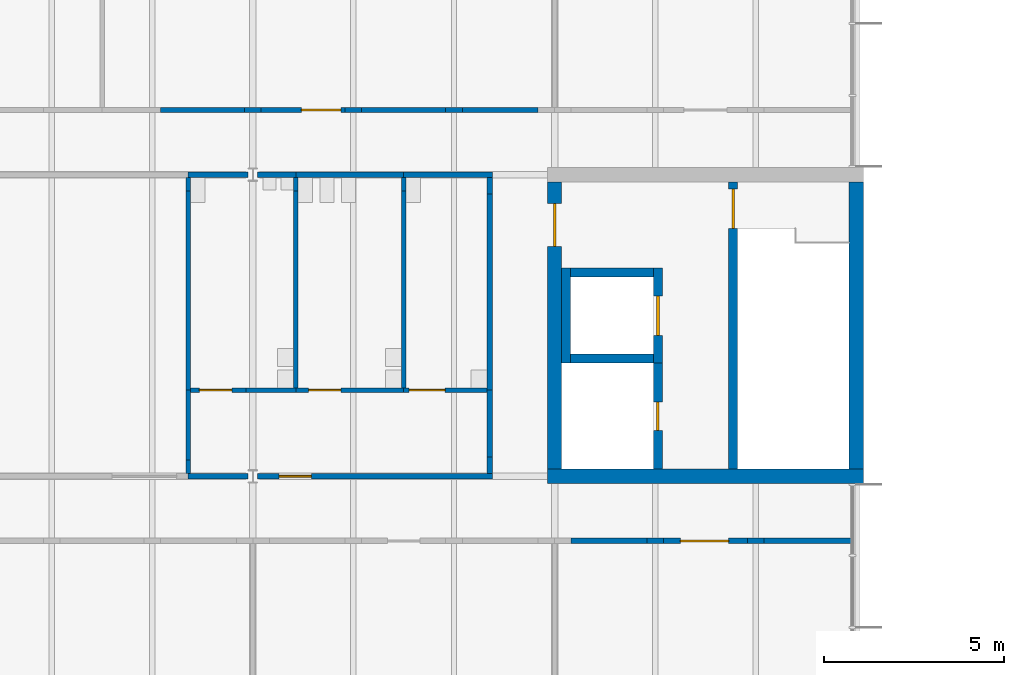
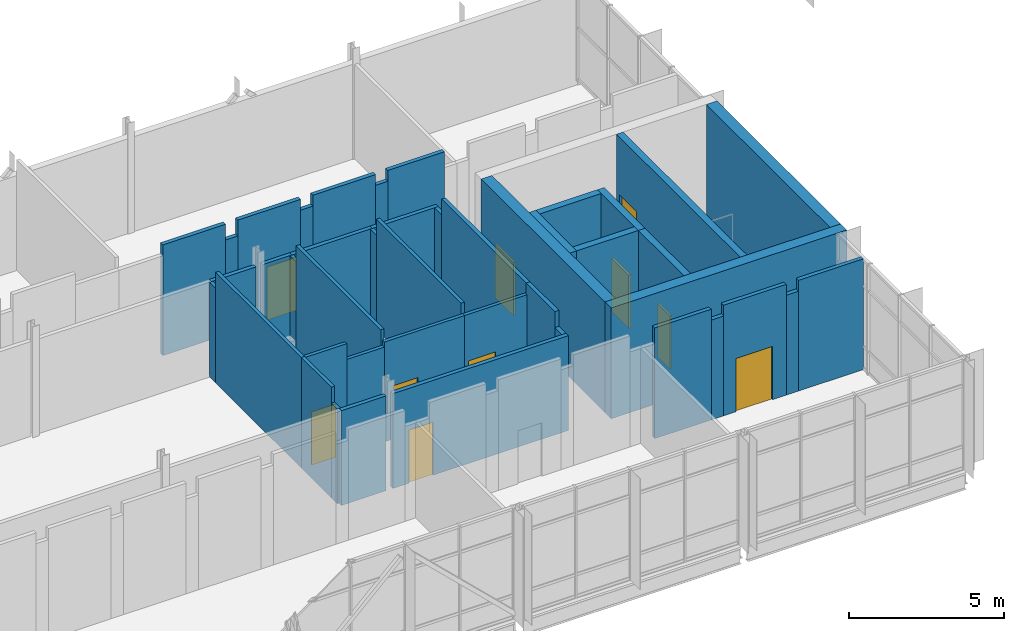
# One storey, part 40 of 72: 43 walls, 10 doors, 10 openings.
"""IFC4 building model written with IfcOpenShell, lengths in metres."""

import ifcopenshell
import ifcopenshell.guid

model = None  # the IFC model being written
_history = None  # IfcOwnerHistory: only IFC2X3 demands one
_inside = {}  # id of a spatial element -> (the spatial element, [elements in it])
_under = {}  # id of a project, library or spatial element -> (it, [spatial elements below it])
_declared = {}  # id of a project -> (the project, [libraries it declares])
_typed = {}  # id of a type object -> (the type object, [elements of that type])
_made_of = {}  # id of a material, layer set ... -> (it, [elements and type objects made of it])


def new_model(schema):
    """Start an empty IFC model of exactly this schema.

    Asked for "IFC4X3", IfcOpenShell would pick the latest addendum, in which some entities
    have other attributes; the version numbers below select the first issue.
    IFC2X3 requires an IfcOwnerHistory on every rooted entity: one is made here for all.
    """
    global model, _history
    if schema == "IFC4X3":
        model = ifcopenshell.file(schema_version=(4, 3, 0, 0))
    else:
        model = ifcopenshell.file(schema=schema)
    _inside.clear()
    _under.clear()
    _declared.clear()
    _typed.clear()
    _made_of.clear()
    _history = None
    if model.schema == "IFC2X3":
        org = make("IfcOrganization", Name="unknown")
        user = make(
            "IfcPersonAndOrganization",
            ThePerson=make("IfcPerson", FamilyName="unknown"),
            TheOrganization=org,
        )
        app = make(
            "IfcApplication",
            ApplicationDeveloper=org,
            Version="unknown",
            ApplicationFullName="unknown",
            ApplicationIdentifier="unknown",
        )
        _history = make(
            "IfcOwnerHistory",
            OwningUser=user,
            OwningApplication=app,
            ChangeAction="ADDED",
            CreationDate=0,
        )
    return model


def make(cls, **values):
    """One entity of the class cls with the attributes given. An attribute that is None is left unset."""
    return model.create_entity(
        cls, **{name: value for name, value in values.items() if value is not None}
    )


def rooted(cls, **values):
    """An entity with a GlobalId (a new one), such as an element, a storey or a relation."""
    return make(cls, GlobalId=ifcopenshell.guid.new(), OwnerHistory=_history, **values)


def si_unit(unit_type, name, prefix=None):
    """IfcSIUnit, for example si_unit("LENGTHUNIT", "METRE", prefix="MILLI")."""
    return make("IfcSIUnit", UnitType=unit_type, Prefix=prefix, Name=name)


def assignment(units):
    """IfcUnitAssignment: the units of a project."""
    return None if units is None else make("IfcUnitAssignment", Units=units)


def point(xyz):
    """IfcCartesianPoint."""
    return None if xyz is None else make("IfcCartesianPoint", Coordinates=xyz)


def direction(xyz):
    """IfcDirection."""
    return None if xyz is None else make("IfcDirection", DirectionRatios=xyz)


def frame(location, z_axis=None, x_axis=None):
    """IfcAxis2Placement3D, a coordinate frame: its origin and axes. An axis left out is left unset."""
    return make(
        "IfcAxis2Placement3D",
        Location=point(location),
        Axis=direction(z_axis),
        RefDirection=direction(x_axis),
    )


def frame_2d(location, x_axis=None):
    """IfcAxis2Placement2D, a coordinate frame in the plane: its origin and x axis."""
    return make(
        "IfcAxis2Placement2D", Location=point(location), RefDirection=direction(x_axis)
    )


def origin():
    """The frame at (0, 0, 0) with its axes left unset."""
    return frame((0.0, 0.0, 0.0))


def place(relative_to, where):
    """IfcLocalPlacement: puts the frame where relative to a parent placement (None: the world)."""
    return make(
        "IfcLocalPlacement", PlacementRelTo=relative_to, RelativePlacement=where
    )


def context(
    kind, dimensions, precision=None, world=None, true_north=None, identifier=None
):
    """IfcGeometricRepresentationContext, for example the 3D "Model" context."""
    return make(
        "IfcGeometricRepresentationContext",
        ContextIdentifier=identifier,
        ContextType=kind,
        CoordinateSpaceDimension=dimensions,
        Precision=precision,
        WorldCoordinateSystem=world,
        TrueNorth=true_north,
    )


def subcontext(parent, identifier, kind, view, scale=None):
    """IfcGeometricRepresentationSubContext, for example "Body" below "Model"."""
    return make(
        "IfcGeometricRepresentationSubContext",
        ContextIdentifier=identifier,
        ContextType=kind,
        ParentContext=parent,
        TargetScale=scale,
        TargetView=view,
    )


def project(units=None, contexts=None):
    """IfcProject with its units and contexts."""
    return rooted(
        "IfcProject",
        Name="project",
        RepresentationContexts=contexts,
        UnitsInContext=assignment(units),
    )


def spatial(cls, under=None, at=None, **own):
    """A site, building, storey or space (cls), placed at a placement, below another one or the project."""
    s = rooted(cls, ObjectPlacement=at, **own)
    if under is not None:
        _under.setdefault(under.id(), (under, []))[1].append(s)
    return s


def profile(cls, at=None, kind="AREA", **sizes):
    """A parametric profile (cls). Its sizes go by their IFC names, for example OverallWidth=200.0."""
    return make(cls, ProfileType=kind, Position=at, **sizes)


def rectangle(**sizes):
    """IfcRectangleProfileDef."""
    return profile("IfcRectangleProfileDef", **sizes)


def extrude(swept, where, along, depth):
    """IfcExtrudedAreaSolid: the profile swept, set in the frame where, extruded along a direction by depth."""
    return make(
        "IfcExtrudedAreaSolid",
        SweptArea=swept,
        Position=where,
        ExtrudedDirection=direction(along),
        Depth=depth,
    )


def shape(context_of_items, identifier, shape_type, items):
    """IfcShapeRepresentation: the items that make up one representation, for example the "Body"."""
    return make(
        "IfcShapeRepresentation",
        ContextOfItems=context_of_items,
        RepresentationIdentifier=identifier,
        RepresentationType=shape_type,
        Items=items,
    )


def material(Name=None, Category=None):
    """IfcMaterial."""
    return make("IfcMaterial", Name=Name, Category=Category)


def layer(
    of_material, thickness, ventilated=None, Name=None, Category=None, Priority=None
):
    """IfcMaterialLayer: one layer of a wall or slab, of a material (None: an air gap)."""
    return make(
        "IfcMaterialLayer",
        Material=of_material,
        LayerThickness=thickness,
        IsVentilated=ventilated,
        Name=Name,
        Category=Category,
        Priority=Priority,
    )


def layer_set(layers, Name=None):
    """IfcMaterialLayerSet."""
    return make("IfcMaterialLayerSet", MaterialLayers=layers, LayerSetName=Name)


def made_of(thing, what):
    """Note that an element or type object is made of a material, layer set ...; save() writes the relation."""
    if what is not None:
        _made_of.setdefault(what.id(), (what, []))[1].append(thing)
    return thing


def type_object(cls, material=None, **own):
    """A type object (cls), such as IfcWallType, which elements share."""
    return made_of(rooted(cls, **own), material)


def element(
    cls,
    number,
    at=None,
    inside=None,
    cuts=None,
    type_object=None,
    material=None,
    context=None,
    identifier="Body",
    shape_type=None,
    held_by="IfcProductDefinitionShape",
    body=None,
    shapes=None,
    **own,
):
    """One element of the class cls, such as IfcWall. Its Tag is "e" and its number.

    at: its placement. inside: the storey or other place that contains it. cuts: it is an
    opening in that element (IfcRelVoidsElement). A single representation is given by context,
    identifier, shape_type and body (its items); several are given by shapes. held_by: the class
    of the entity that holds the representations. save() writes the other relations.
    """
    e = rooted(cls, Tag="e%d" % number, ObjectPlacement=at, **own)
    if body is not None:
        shapes = [shape(context, identifier, shape_type, body)]
    if shapes is not None:
        e.Representation = make(held_by, Representations=shapes)
    if inside is not None:
        _inside.setdefault(inside.id(), (inside, []))[1].append(e)
    if cuts is not None:
        rooted(
            "IfcRelVoidsElement", RelatingBuildingElement=cuts, RelatedOpeningElement=e
        )
    if type_object is not None:
        _typed.setdefault(type_object.id(), (type_object, []))[1].append(e)
    return made_of(e, material)


def fill(opening, filler):
    """IfcRelFillsElement: the door or window that sits in an opening."""
    return rooted(
        "IfcRelFillsElement",
        RelatingOpeningElement=opening,
        RelatedBuildingElement=filler,
    )


def aggregate(whole, parts):
    """IfcRelAggregates: a whole, such as a stair, and the parts it consists of."""
    return rooted("IfcRelAggregates", RelatingObject=whole, RelatedObjects=parts)


def save(model, path):
    """Write the relations noted so far, then the file.

    IfcRelAggregates (storeys below a building ...), IfcRelContainedInSpatialStructure (elements
    in a storey), IfcRelDefinesByType, IfcRelAssociatesMaterial and IfcRelDeclares: one each for
    every whole, place, type object, material and project.
    """
    for whole, parts in _under.values():
        aggregate(whole, parts)
    for where, things in _inside.values():
        rooted(
            "IfcRelContainedInSpatialStructure",
            RelatedElements=things,
            RelatingStructure=where,
        )
    for kind, things in _typed.values():
        rooted("IfcRelDefinesByType", RelatedObjects=things, RelatingType=kind)
    for what, things in _made_of.values():
        rooted("IfcRelAssociatesMaterial", RelatedObjects=things, RelatingMaterial=what)
    for by, libraries in _declared.values():
        rooted("IfcRelDeclares", RelatingContext=by, RelatedDefinitions=libraries)
    model.write(path)


model = new_model("IFC4")

# Units and contexts
model_context = context("Model", 3, precision=1e-05, world=origin(), true_north=direction((0.0, 1.0)))
body_context = subcontext(model_context, "Body", "Model", "MODEL_VIEW")
ifc_project = project(units=[si_unit("LENGTHUNIT", "METRE"), si_unit("AREAUNIT", "SQUARE_METRE"), si_unit("VOLUMEUNIT", "CUBIC_METRE"), si_unit("PLANEANGLEUNIT", "RADIAN"), si_unit("MASSUNIT", "GRAM", prefix="KILO")], contexts=[model_context])

# Site, building, storey
site_placement = place(None, origin())
site = spatial("IfcSite", under=ifc_project, at=site_placement, CompositionType="ELEMENT")
building_placement = place(site_placement, origin())
building = spatial("IfcBuilding", under=site, at=building_placement, Name="Hlaing Beacon Police Headquarters", CompositionType="ELEMENT")
storey_placement = place(building_placement, frame((0.0, 0.0, 14.39990234375)))
storey = spatial("IfcBuildingStorey", under=building, at=storey_placement, Name="L03", CompositionType="ELEMENT", Elevation=14.39990234375)

# Wall
ifc_material_1 = material(Name="Concrete C60/75", Category="concrete")
ifc_layer_1 = layer(ifc_material_1, 0.39990234375)
ifc_layer_set_1 = layer_set([ifc_layer_1], Name="Concrete C60/75")
wall_type_1 = type_object("IfcWallType", Name="Core shear wall 400", PredefinedType="SHEAR", material=ifc_layer_set_1)
wall_1_placement = place(storey_placement, frame((50.199951171875, 16.800048828125, 0.0), z_axis=(0.0, 0.0, 1.0), x_axis=(1.0, 0.0, 0.0)))
element("IfcWall", 1, at=wall_1_placement, inside=storey, type_object=wall_type_1, Name="Core shear wall", PredefinedType="SHEAR", context=body_context, shape_type="SweptSolid", body=[
    extrude(rectangle(XDim=8.800048828125, YDim=0.39990234375, at=frame_2d((4.39990234375, 0.0))), origin(), (0.0, 0.0, 1.0), 4.3701171875),
])

# Wall, opening, door
wall_2_placement = place(storey_placement, frame((50.39990234375, 17.0, 0.0), z_axis=(0.0, 0.0, 1.0), x_axis=(0.0, 1.0, 0.0)))
wall_2 = element("IfcWall", 2, at=wall_2_placement, inside=storey, type_object=wall_type_1, Name="Core shear wall", PredefinedType="SHEAR", context=body_context, shape_type="SweptSolid", body=[
    extrude(rectangle(XDim=8.0, YDim=0.39990234375, at=frame_2d((4.0, 0.0))), origin(), (0.0, 0.0, 1.0), 4.3701171875),
])
opening_1_placement = place(wall_2_placement, frame((6.199951171875, 0.0, 0.0)))
opening_1 = element("IfcOpeningElement", 3, at=opening_1_placement, cuts=wall_2, Name="Opening L03-904", PredefinedType="OPENING", context=body_context, shape_type="SweptSolid", body=[
    extrude(rectangle(XDim=1.199951171875, YDim=2.10009765625, at=frame_2d((0.60009765625, 1.050048828125))), frame((0.0, 0.2099609375, 0.0), z_axis=(0.0, -1.0, 0.0), x_axis=(1.0, 0.0, 0.0)), (0.0, 0.0, 1.0), 0.419921875),
])
ifc_material_2 = material(Name="Steel fire door leaf", Category="steel")
ifc_layer_2 = layer(ifc_material_2, 0.070068359375)
ifc_layer_set_2 = layer_set([ifc_layer_2], Name="Steel fire door leaf")
door_type_1 = type_object("IfcDoorType", Name="Steel fire door FD60S 1200x2100", OperationType="SINGLE_SWING_LEFT", PredefinedType="DOOR", material=ifc_layer_set_2)
door_1_placement = place(opening_1_placement, frame((1.199951171875, 0.0, 0.0), z_axis=(0.0, 0.0, 1.0), x_axis=(-1.0, 0.0, 0.0)))
door_1 = element("IfcDoor", 4, at=door_1_placement, inside=storey, type_object=door_type_1, Name="Door Lift and Stair Lobby ST-K Entry", OperationType="SINGLE_SWING_LEFT", OverallHeight=2.10009765625, OverallWidth=1.199951171875, PredefinedType="DOOR", context=body_context, shape_type="SweptSolid", body=[
    extrude(rectangle(XDim=1.199951171875, YDim=2.10009765625, at=frame_2d((0.599853515625, 1.050048828125))), frame((0.0, 0.034912109375, 0.0), z_axis=(0.0, -1.0, 0.0), x_axis=(1.0, 0.0, 0.0)), (0.0, 0.0, 1.0), 0.070068359375),
])
fill(opening_1, door_1)

# Walls
wall_3_placement = place(storey_placement, frame((58.800048828125, 17.0, 0.0), z_axis=(0.0, 0.0, 1.0), x_axis=(0.0, 1.0, 0.0)))
element("IfcWall", 5, at=wall_3_placement, inside=storey, type_object=wall_type_1, Name="Core shear wall", PredefinedType="SHEAR", context=body_context, shape_type="SweptSolid", body=[
    extrude(rectangle(XDim=8.0, YDim=0.39990234375, at=frame_2d((4.0, 0.0))), origin(), (0.0, 0.0, 1.0), 4.3701171875),
])
ifc_material_3 = material(Name="Gypsum board partition")
ifc_layer_3 = layer(ifc_material_3, 0.14990234375)
ifc_layer_set_3 = layer_set([ifc_layer_3], Name="Gypsum board partition")
wall_type_2 = type_object("IfcWallType", Name="Corridor wall EI 30 150", PredefinedType="PARTITIONING", material=ifc_layer_set_3)
wall_4_placement = place(storey_placement, frame((46.199951171875, 25.199951171875, 0.0), z_axis=(0.0, 0.0, 1.0), x_axis=(1.0, 0.0, 0.0)))
element("IfcWall", 6, at=wall_4_placement, inside=storey, type_object=wall_type_2, Name="Corridor wall EI 30 150", PredefinedType="PARTITIONING", context=body_context, shape_type="SweptSolid", body=[
    extrude(rectangle(XDim=2.47509765625, YDim=0.14990234375, at=frame_2d((1.237548828125, 0.0))), origin(), (0.0, 0.0, 1.0), 3.7431640625),
])
wall_5_placement = place(storey_placement, frame((48.60009765625, 19.199951171875, 0.0), z_axis=(0.0, 0.0, 1.0), x_axis=(0.0, 1.0, 0.0)))
element("IfcWall", 7, at=wall_5_placement, inside=storey, type_object=wall_type_2, Name="Corridor wall EI 30 150", PredefinedType="PARTITIONING", context=body_context, shape_type="SweptSolid", body=[
    extrude(rectangle(XDim=5.465087890625, YDim=0.14990234375, at=frame_2d((2.732421875, 0.0))), origin(), (0.0, 0.0, 1.0), 4.3701171875),
])
wall_6_placement = place(storey_placement, frame((48.60009765625, 24.6650390625, 0.0), z_axis=(0.0, 0.0, 1.0), x_axis=(0.0, 1.0, 0.0)))
element("IfcWall", 8, at=wall_6_placement, inside=storey, type_object=wall_type_2, Name="Corridor wall EI 30 150", PredefinedType="PARTITIONING", context=body_context, shape_type="SweptSolid", body=[
    extrude(rectangle(XDim=0.4599609375, YDim=0.14990234375, at=frame_2d((0.22998046875, 0.0))), origin(), (0.0, 0.0, 1.0), 3.7431640625),
])
wall_7_placement = place(storey_placement, frame((43.199951171875, 25.199951171875, 0.0), z_axis=(0.0, 0.0, 1.0), x_axis=(1.0, 0.0, 0.0)))
element("IfcWall", 9, at=wall_7_placement, inside=storey, type_object=wall_type_2, Name="Corridor wall EI 30 150", PredefinedType="PARTITIONING", context=body_context, shape_type="SweptSolid", body=[
    extrude(rectangle(XDim=3.0, YDim=0.14990234375, at=frame_2d((1.5, 0.0))), origin(), (0.0, 0.0, 1.0), 3.7431640625),
])
wall_8_placement = place(storey_placement, frame((40.199951171875, 16.800048828125, 0.0), z_axis=(0.0, 0.0, 1.0), x_axis=(1.0, 0.0, 0.0)))
element("IfcWall", 10, at=wall_8_placement, inside=storey, type_object=wall_type_2, Name="Corridor wall EI 30 150", PredefinedType="PARTITIONING", context=body_context, shape_type="SweptSolid", body=[
    extrude(rectangle(XDim=1.671142578125, YDim=0.14990234375, at=frame_2d((0.83544921875, 0.0))), origin(), (0.0, 0.0, 1.0), 3.7431640625),
])

# Wall, opening, door
wall_9_placement = place(storey_placement, frame((42.12890625, 16.800048828125, 0.0), z_axis=(0.0, 0.0, 1.0), x_axis=(1.0, 0.0, 0.0)))
wall_9 = element("IfcWall", 11, at=wall_9_placement, inside=storey, type_object=wall_type_2, Name="Corridor wall EI 30 150", PredefinedType="PARTITIONING", context=body_context, shape_type="SweptSolid", body=[
    extrude(rectangle(XDim=6.546142578125, YDim=0.14990234375, at=frame_2d((3.27294921875, 0.0))), origin(), (0.0, 0.0, 1.0), 3.7431640625),
])
opening_2_placement = place(wall_9_placement, frame((0.60009765625, 0.0, 0.0)))
opening_2 = element("IfcOpeningElement", 12, at=opening_2_placement, cuts=wall_9, Name="Opening L03-005", PredefinedType="OPENING", context=body_context, shape_type="SweptSolid", body=[
    extrude(rectangle(XDim=0.89990234375, YDim=2.10009765625, at=frame_2d((0.449951171875, 1.050048828125))), frame((0.0, 0.0849609375, 0.0), z_axis=(0.0, -1.0, 0.0), x_axis=(1.0, 0.0, 0.0)), (0.0, 0.0, 1.0), 0.169921875),
])
ifc_material_4 = material(Name="Hardwood door leaf", Category="wood")
ifc_layer_4 = layer(ifc_material_4, 0.050048828125)
ifc_layer_set_4 = layer_set([ifc_layer_4], Name="Hardwood door leaf")
door_type_2 = type_object("IfcDoorType", Name="Fire door FD30S 900x2100", OperationType="SINGLE_SWING_LEFT", PredefinedType="DOOR", material=ifc_layer_set_4)
door_2_placement = place(opening_2_placement, origin())
door_2 = element("IfcDoor", 13, at=door_2_placement, inside=storey, type_object=door_type_2, Name="Door WC Lobby", OperationType="SINGLE_SWING_RIGHT", OverallHeight=2.10009765625, OverallWidth=0.89990234375, PredefinedType="DOOR", context=body_context, shape_type="SweptSolid", body=[
    extrude(rectangle(XDim=0.89990234375, YDim=2.10009765625, at=frame_2d((0.449951171875, 1.050048828125))), frame((0.0, 0.02490234375, 0.0), z_axis=(0.0, -1.0, 0.0), x_axis=(1.0, 0.0, 0.0)), (0.0, 0.0, 1.0), 0.050048828125),
])
fill(opening_2, door_2)

# Walls
wall_10_placement = place(storey_placement, frame((48.60009765625, 16.875, 0.0), z_axis=(0.0, 0.0, 1.0), x_axis=(0.0, 1.0, 0.0)))
element("IfcWall", 14, at=wall_10_placement, inside=storey, type_object=wall_type_2, Name="Corridor wall EI 30 150", PredefinedType="PARTITIONING", context=body_context, shape_type="SweptSolid", body=[
    extrude(rectangle(XDim=0.4599609375, YDim=0.14990234375, at=frame_2d((0.22998046875, 0.0))), origin(), (0.0, 0.0, 1.0), 3.7431640625),
])
wall_11_placement = place(storey_placement, frame((48.60009765625, 17.3349609375, 0.0), z_axis=(0.0, 0.0, 1.0), x_axis=(0.0, 1.0, 0.0)))
element("IfcWall", 15, at=wall_11_placement, inside=storey, type_object=wall_type_2, Name="Corridor wall EI 30 150", PredefinedType="PARTITIONING", context=body_context, shape_type="SweptSolid", body=[
    extrude(rectangle(XDim=1.864990234375, YDim=0.14990234375, at=frame_2d((0.9326171875, 0.0))), origin(), (0.0, 0.0, 1.0), 4.3701171875),
])
wall_12_placement = place(storey_placement, frame((40.199951171875, 25.199951171875, 0.0), z_axis=(0.0, 0.0, 1.0), x_axis=(1.0, 0.0, 0.0)))
element("IfcWall", 16, at=wall_12_placement, inside=storey, type_object=wall_type_2, Name="Corridor wall EI 30 150", PredefinedType="PARTITIONING", context=body_context, shape_type="SweptSolid", body=[
    extrude(rectangle(XDim=1.671142578125, YDim=0.14990234375, at=frame_2d((0.83544921875, 0.0))), origin(), (0.0, 0.0, 1.0), 3.7431640625),
])
wall_13_placement = place(storey_placement, frame((42.12890625, 25.199951171875, 0.0), z_axis=(0.0, 0.0, 1.0), x_axis=(1.0, 0.0, 0.0)))
element("IfcWall", 17, at=wall_13_placement, inside=storey, type_object=wall_type_2, Name="Corridor wall EI 30 150", PredefinedType="PARTITIONING", context=body_context, shape_type="SweptSolid", body=[
    extrude(rectangle(XDim=1.071044921875, YDim=0.14990234375, at=frame_2d((0.53564453125, 0.0))), origin(), (0.0, 0.0, 1.0), 3.7431640625),
])
wall_14_placement = place(storey_placement, frame((39.429931640625, 27.0, 0.0), z_axis=(0.0, 0.0, 1.0), x_axis=(1.0, 0.0, 0.0)))
element("IfcWall", 18, at=wall_14_placement, inside=storey, type_object=wall_type_2, Name="Corridor wall EI 30 150", PredefinedType="PARTITIONING", context=body_context, shape_type="SweptSolid", body=[
    extrude(rectangle(XDim=2.340087890625, YDim=0.14990234375, at=frame_2d((1.169921875, 0.0))), origin(), (0.0, 0.0, 1.0), 4.3701171875),
])
wall_15_placement = place(storey_placement, frame((41.77001953125, 27.0, 0.0), z_axis=(0.0, 0.0, 1.0), x_axis=(1.0, 0.0, 0.0)))
element("IfcWall", 19, at=wall_15_placement, inside=storey, type_object=wall_type_2, Name="Corridor wall EI 30 150", PredefinedType="PARTITIONING", context=body_context, shape_type="SweptSolid", body=[
    extrude(rectangle(XDim=0.4599609375, YDim=0.14990234375, at=frame_2d((0.22998046875, 0.0))), origin(), (0.0, 0.0, 1.0), 3.7431640625),
])

# Wall, opening, door
wall_16_placement = place(storey_placement, frame((42.22998046875, 27.0, 0.0), z_axis=(0.0, 0.0, 1.0), x_axis=(1.0, 0.0, 0.0)))
wall_16 = element("IfcWall", 20, at=wall_16_placement, inside=storey, type_object=wall_type_2, Name="Corridor wall EI 30 150", PredefinedType="PARTITIONING", context=body_context, shape_type="SweptSolid", body=[
    extrude(rectangle(XDim=2.340087890625, YDim=0.14990234375, at=frame_2d((1.169921875, 0.0))), origin(), (0.0, 0.0, 1.0), 4.3701171875),
])
opening_3_placement = place(wall_16_placement, frame((1.1201171875, 0.0, 0.0)))
opening_3 = element("IfcOpeningElement", 21, at=opening_3_placement, cuts=wall_16, Name="Opening L03-009", PredefinedType="OPENING", context=body_context, shape_type="SweptSolid", body=[
    extrude(rectangle(XDim=1.10009765625, YDim=2.10009765625, at=frame_2d((0.550048828125, 1.050048828125))), frame((0.0, 0.0849609375, 0.0), z_axis=(0.0, -1.0, 0.0), x_axis=(1.0, 0.0, 0.0)), (0.0, 0.0, 1.0), 0.169921875),
])
ifc_material_5 = material(Name="Hardwood door leaf", Category="wood")
ifc_layer_5 = layer(ifc_material_5, 0.050048828125)
ifc_layer_set_5 = layer_set([ifc_layer_5], Name="Hardwood door leaf")
door_type_3 = type_object("IfcDoorType", Name="Fire door FD30S 1100x2100", OperationType="SINGLE_SWING_LEFT", PredefinedType="DOOR", material=ifc_layer_set_5)
door_3_placement = place(opening_3_placement, origin())
door_3 = element("IfcDoor", 22, at=door_3_placement, inside=storey, type_object=door_type_3, Name="Door Restaurant Kitchen", OperationType="SINGLE_SWING_RIGHT", OverallHeight=2.10009765625, OverallWidth=1.10009765625, PredefinedType="DOOR", context=body_context, shape_type="SweptSolid", body=[
    extrude(rectangle(XDim=1.10009765625, YDim=2.10009765625, at=frame_2d((0.550048828125, 1.050048828125))), frame((0.0, 0.02490234375, 0.0), z_axis=(0.0, -1.0, 0.0), x_axis=(1.0, 0.0, 0.0)), (0.0, 0.0, 1.0), 0.050048828125),
])
fill(opening_3, door_3)

# Walls
wall_17_placement = place(storey_placement, frame((44.570068359375, 27.0, 0.0), z_axis=(0.0, 0.0, 1.0), x_axis=(1.0, 0.0, 0.0)))
element("IfcWall", 23, at=wall_17_placement, inside=storey, type_object=wall_type_2, Name="Corridor wall EI 30 150", PredefinedType="PARTITIONING", context=body_context, shape_type="SweptSolid", body=[
    extrude(rectangle(XDim=0.4599609375, YDim=0.14990234375, at=frame_2d((0.22998046875, 0.0))), origin(), (0.0, 0.0, 1.0), 3.941162109375),
])
wall_18_placement = place(storey_placement, frame((45.030029296875, 27.0, 0.0), z_axis=(0.0, 0.0, 1.0), x_axis=(1.0, 0.0, 0.0)))
element("IfcWall", 24, at=wall_18_placement, inside=storey, type_object=wall_type_2, Name="Corridor wall EI 30 150", PredefinedType="PARTITIONING", context=body_context, shape_type="SweptSolid", body=[
    extrude(rectangle(XDim=2.340087890625, YDim=0.14990234375, at=frame_2d((1.169921875, 0.0))), origin(), (0.0, 0.0, 1.0), 4.3701171875),
])
wall_19_placement = place(storey_placement, frame((47.3701171875, 27.0, 0.0), z_axis=(0.0, 0.0, 1.0), x_axis=(1.0, 0.0, 0.0)))
element("IfcWall", 25, at=wall_19_placement, inside=storey, type_object=wall_type_2, Name="Corridor wall EI 30 150", PredefinedType="PARTITIONING", context=body_context, shape_type="SweptSolid", body=[
    extrude(rectangle(XDim=0.4599609375, YDim=0.14990234375, at=frame_2d((0.22998046875, 0.0))), origin(), (0.0, 0.0, 1.0), 3.941162109375),
])
for number, where, z_axis, x_axis, name in (
    (26, (47.830078125, 27.0, 0.0), (0.0, 0.0, 1.0), (1.0, 0.0, 0.0), "Corridor wall EI 30 150"),
    (27, (50.860107421875, 15.0, 0.0), (0.0, 0.0, 1.0), (1.0, 0.0, 0.0), "Corridor wall EI 30 150"),
):
    element("IfcWall", number, at=place(storey_placement, frame(where, z_axis=z_axis, x_axis=x_axis)), inside=storey, type_object=wall_type_2, Name=name, PredefinedType="PARTITIONING", context=body_context, shape_type="SweptSolid", body=[
        extrude(rectangle(XDim=2.10986328125, YDim=0.14990234375, at=frame_2d((1.054931640625, 0.0))), origin(), (0.0, 0.0, 1.0), 4.3701171875),
    ])
wall_20_placement = place(storey_placement, frame((52.969970703125, 15.0, 0.0), z_axis=(0.0, 0.0, 1.0), x_axis=(1.0, 0.0, 0.0)))
element("IfcWall", 28, at=wall_20_placement, inside=storey, type_object=wall_type_2, Name="Corridor wall EI 30 150", PredefinedType="PARTITIONING", context=body_context, shape_type="SweptSolid", body=[
    extrude(rectangle(XDim=0.4599609375, YDim=0.14990234375, at=frame_2d((0.22998046875, 0.0))), origin(), (0.0, 0.0, 1.0), 3.941162109375),
])

# Wall, opening, door
wall_21_placement = place(storey_placement, frame((53.429931640625, 15.0, 0.0), z_axis=(0.0, 0.0, 1.0), x_axis=(1.0, 0.0, 0.0)))
wall_21 = element("IfcWall", 29, at=wall_21_placement, inside=storey, type_object=wall_type_2, Name="Corridor wall EI 30 150", PredefinedType="PARTITIONING", context=body_context, shape_type="SweptSolid", body=[
    extrude(rectangle(XDim=2.340087890625, YDim=0.14990234375, at=frame_2d((1.169921875, 0.0))), origin(), (0.0, 0.0, 1.0), 4.3701171875),
])
opening_4_placement = place(wall_21_placement, frame((0.469970703125, 0.0, 0.0)))
opening_4 = element("IfcOpeningElement", 30, at=opening_4_placement, cuts=wall_21, Name="Opening L03-011", PredefinedType="OPENING", context=body_context, shape_type="SweptSolid", body=[
    extrude(rectangle(XDim=1.35009765625, YDim=2.10009765625, at=frame_2d((0.675048828125, 1.050048828125))), frame((0.0, 0.0849609375, 0.0), z_axis=(0.0, -1.0, 0.0), x_axis=(1.0, 0.0, 0.0)), (0.0, 0.0, 1.0), 0.169921875),
])
ifc_material_6 = material(Name="Hardwood door leaf", Category="wood")
ifc_layer_6 = layer(ifc_material_6, 0.050048828125)
ifc_layer_set_6 = layer_set([ifc_layer_6], Name="Hardwood door leaf")
door_type_4 = type_object("IfcDoorType", Name="Fire leaf-and-a-half door FD30S 1350x2100", OperationType="DOUBLE_DOOR_SINGLE_SWING", PredefinedType="DOOR", material=ifc_layer_set_6)
door_4_placement = place(opening_4_placement, frame((1.35009765625, 0.0, 0.0), z_axis=(0.0, 0.0, 1.0), x_axis=(-1.0, 0.0, 0.0)))
door_4 = element("IfcDoor", 31, at=door_4_placement, inside=storey, type_object=door_type_4, Name="Door Information Governance", OperationType="DOUBLE_DOOR_SINGLE_SWING", OverallHeight=2.10009765625, OverallWidth=1.35009765625, PredefinedType="DOOR", context=body_context, shape_type="SweptSolid", body=[
    extrude(rectangle(XDim=1.35009765625, YDim=2.10009765625, at=frame_2d((0.675048828125, 1.050048828125))), frame((0.0, 0.025146484375, 0.0), z_axis=(0.0, -1.0, 0.0), x_axis=(1.0, 0.0, 0.0)), (0.0, 0.0, 1.0), 0.050048828125),
])
fill(opening_4, door_4)

# Walls
wall_22_placement = place(storey_placement, frame((55.77001953125, 15.0, 0.0), z_axis=(0.0, 0.0, 1.0), x_axis=(1.0, 0.0, 0.0)))
element("IfcWall", 32, at=wall_22_placement, inside=storey, type_object=wall_type_2, Name="Corridor wall EI 30 150", PredefinedType="PARTITIONING", context=body_context, shape_type="SweptSolid", body=[
    extrude(rectangle(XDim=0.4599609375, YDim=0.14990234375, at=frame_2d((0.22998046875, 0.0))), origin(), (0.0, 0.0, 1.0), 3.941162109375),
])
wall_23_placement = place(storey_placement, frame((56.22998046875, 15.0, 0.0), z_axis=(0.0, 0.0, 1.0), x_axis=(1.0, 0.0, 0.0)))
element("IfcWall", 33, at=wall_23_placement, inside=storey, type_object=wall_type_2, Name="Corridor wall EI 30 150", PredefinedType="PARTITIONING", context=body_context, shape_type="SweptSolid", body=[
    extrude(rectangle(XDim=2.419921875, YDim=0.14990234375, at=frame_2d((1.2099609375, 0.0))), origin(), (0.0, 0.0, 1.0), 4.3701171875),
])
ifc_material_7 = material(Name="Gypsum board partition")
ifc_layer_7 = layer(ifc_material_7, 0.125)
ifc_layer_set_7 = layer_set([ifc_layer_7], Name="Gypsum board partition")
wall_type_3 = type_object("IfcWallType", Name="Partition 125", PredefinedType="PARTITIONING", material=ifc_layer_set_7)
wall_24_placement = place(storey_placement, frame((40.199951171875, 16.875, 0.0), z_axis=(0.0, 0.0, 1.0), x_axis=(0.0, 1.0, 0.0)))
element("IfcWall", 34, at=wall_24_placement, inside=storey, type_object=wall_type_3, Name="Partition 125", PredefinedType="PARTITIONING", context=body_context, shape_type="SweptSolid", body=[
    extrude(rectangle(XDim=0.385009765625, YDim=0.125, at=frame_2d((0.1923828125, 0.0))), origin(), (0.0, 0.0, 1.0), 3.7431640625),
])
wall_25_placement = place(storey_placement, frame((40.199951171875, 17.260009765625, 0.0), z_axis=(0.0, 0.0, 1.0), x_axis=(0.0, 1.0, 0.0)))
element("IfcWall", 35, at=wall_25_placement, inside=storey, type_object=wall_type_3, Name="Partition 125", PredefinedType="PARTITIONING", context=body_context, shape_type="SweptSolid", body=[
    extrude(rectangle(XDim=1.93994140625, YDim=0.125, at=frame_2d((0.969970703125, 0.0))), origin(), (0.0, 0.0, 1.0), 4.3701171875),
])
wall_26_placement = place(storey_placement, frame((40.199951171875, 19.199951171875, 0.0), z_axis=(0.0, 0.0, 1.0), x_axis=(0.0, 1.0, 0.0)))
element("IfcWall", 36, at=wall_26_placement, inside=storey, type_object=wall_type_3, Name="Partition 125", PredefinedType="PARTITIONING", context=body_context, shape_type="SweptSolid", body=[
    extrude(rectangle(XDim=5.5400390625, YDim=0.125, at=frame_2d((2.77001953125, 0.0))), origin(), (0.0, 0.0, 1.0), 4.3701171875),
])
wall_27_placement = place(storey_placement, frame((40.199951171875, 24.739990234375, 0.0), z_axis=(0.0, 0.0, 1.0), x_axis=(0.0, 1.0, 0.0)))
element("IfcWall", 37, at=wall_27_placement, inside=storey, type_object=wall_type_3, Name="Partition 125", PredefinedType="PARTITIONING", context=body_context, shape_type="SweptSolid", body=[
    extrude(rectangle(XDim=0.385009765625, YDim=0.125, at=frame_2d((0.1923828125, 0.0))), origin(), (0.0, 0.0, 1.0), 3.7431640625),
])
wall_28_placement = place(storey_placement, frame((46.199951171875, 19.261962890625, 0.0), z_axis=(0.0, 0.0, 1.0), x_axis=(0.0, 1.0, 0.0)))
element("IfcWall", 38, at=wall_28_placement, inside=storey, type_object=wall_type_3, Name="Partition 125", PredefinedType="PARTITIONING", context=body_context, shape_type="SweptSolid", body=[
    extrude(rectangle(XDim=5.47802734375, YDim=0.125, at=frame_2d((2.739013671875, 0.0))), origin(), (0.0, 0.0, 1.0), 4.3701171875),
])
wall_29_placement = place(storey_placement, frame((46.199951171875, 24.739990234375, 0.0), z_axis=(0.0, 0.0, 1.0), x_axis=(0.0, 1.0, 0.0)))
element("IfcWall", 39, at=wall_29_placement, inside=storey, type_object=wall_type_3, Name="Partition 125", PredefinedType="PARTITIONING", context=body_context, shape_type="SweptSolid", body=[
    extrude(rectangle(XDim=0.385009765625, YDim=0.125, at=frame_2d((0.1923828125, 0.0))), origin(), (0.0, 0.0, 1.0), 3.7431640625),
])

# Wall, opening, door
wall_30_placement = place(storey_placement, frame((46.199951171875, 19.199951171875, 0.0), z_axis=(0.0, 0.0, 1.0), x_axis=(1.0, 0.0, 0.0)))
wall_30 = element("IfcWall", 40, at=wall_30_placement, inside=storey, type_object=wall_type_3, Name="Partition 125", PredefinedType="PARTITIONING", context=body_context, shape_type="SweptSolid", body=[
    extrude(rectangle(XDim=2.324951171875, YDim=0.125, at=frame_2d((1.16259765625, 0.0))), origin(), (0.0, 0.0, 1.0), 3.941162109375),
])
opening_5_placement = place(wall_30_placement, frame((0.14990234375, 0.0, 0.0)))
opening_5 = element("IfcOpeningElement", 41, at=opening_5_placement, cuts=wall_30, Name="Opening L03-003", PredefinedType="OPENING", context=body_context, shape_type="SweptSolid", body=[
    extrude(rectangle(XDim=1.0, YDim=2.10009765625, at=frame_2d((0.5, 1.050048828125))), frame((0.0, 0.072509765625, 0.0), z_axis=(0.0, -1.0, 0.0), x_axis=(1.0, 0.0, 0.0)), (0.0, 0.0, 1.0), 0.14501953125),
])
ifc_material_8 = material(Name="Hardwood door leaf", Category="wood")
ifc_layer_8 = layer(ifc_material_8, 0.0400390625)
ifc_layer_set_8 = layer_set([ifc_layer_8], Name="Hardwood door leaf")
door_type_5 = type_object("IfcDoorType", Name="Door 1000x2100", OperationType="SINGLE_SWING_LEFT", PredefinedType="DOOR", material=ifc_layer_set_8)
door_5_placement = place(opening_5_placement, origin())
door_5 = element("IfcDoor", 42, at=door_5_placement, inside=storey, type_object=door_type_5, Name="Door Accessible WC", OperationType="SINGLE_SWING_RIGHT", OverallHeight=2.10009765625, OverallWidth=1.0, PredefinedType="DOOR", context=body_context, shape_type="SweptSolid", body=[
    extrude(rectangle(XDim=1.0, YDim=2.10009765625, at=frame_2d((0.5, 1.050048828125))), frame((0.0, 0.02001953125, 0.0), z_axis=(0.0, -1.0, 0.0), x_axis=(1.0, 0.0, 0.0)), (0.0, 0.0, 1.0), 0.0400390625),
])
fill(opening_5, door_5)

wall_31_placement = place(storey_placement, frame((43.199951171875, 19.199951171875, 0.0), z_axis=(0.0, 0.0, 1.0), x_axis=(1.0, 0.0, 0.0)))
wall_31 = element("IfcWall", 43, at=wall_31_placement, inside=storey, type_object=wall_type_3, Name="Partition 125", PredefinedType="PARTITIONING", context=body_context, shape_type="SweptSolid", body=[
    extrude(rectangle(XDim=3.0, YDim=0.125, at=frame_2d((1.5, 0.0))), origin(), (0.0, 0.0, 1.0), 3.941162109375),
])
opening_6_placement = place(wall_31_placement, frame((0.35009765625, 0.0, 0.0)))
opening_6 = element("IfcOpeningElement", 44, at=opening_6_placement, cuts=wall_31, Name="Opening L03-004", PredefinedType="OPENING", context=body_context, shape_type="SweptSolid", body=[
    extrude(rectangle(XDim=0.89990234375, YDim=2.10009765625, at=frame_2d((0.449951171875, 1.050048828125))), frame((0.0, 0.072509765625, 0.0), z_axis=(0.0, -1.0, 0.0), x_axis=(1.0, 0.0, 0.0)), (0.0, 0.0, 1.0), 0.14501953125),
])
ifc_material_9 = material(Name="Hardwood door leaf", Category="wood")
ifc_layer_9 = layer(ifc_material_9, 0.0400390625)
ifc_layer_set_9 = layer_set([ifc_layer_9], Name="Hardwood door leaf")
door_type_6 = type_object("IfcDoorType", Name="Door 900x2100", OperationType="SINGLE_SWING_LEFT", PredefinedType="DOOR", material=ifc_layer_set_9)
door_6_placement = place(opening_6_placement, origin())
door_6 = element("IfcDoor", 45, at=door_6_placement, inside=storey, type_object=door_type_6, Name="Door Female WC", OperationType="SINGLE_SWING_RIGHT", OverallHeight=2.10009765625, OverallWidth=0.89990234375, PredefinedType="DOOR", context=body_context, shape_type="SweptSolid", body=[
    extrude(rectangle(XDim=0.89990234375, YDim=2.10009765625, at=frame_2d((0.449951171875, 1.050048828125))), frame((0.0, 0.02001953125, 0.0), z_axis=(0.0, -1.0, 0.0), x_axis=(1.0, 0.0, 0.0)), (0.0, 0.0, 1.0), 0.0400390625),
])
fill(opening_6, door_6)

# Walls
wall_32_placement = place(storey_placement, frame((43.199951171875, 19.261962890625, 0.0), z_axis=(0.0, 0.0, 1.0), x_axis=(0.0, 1.0, 0.0)))
element("IfcWall", 46, at=wall_32_placement, inside=storey, type_object=wall_type_3, Name="Partition 125", PredefinedType="PARTITIONING", context=body_context, shape_type="SweptSolid", body=[
    extrude(rectangle(XDim=5.47802734375, YDim=0.125, at=frame_2d((2.739013671875, 0.0))), origin(), (0.0, 0.0, 1.0), 4.3701171875),
])
wall_33_placement = place(storey_placement, frame((43.199951171875, 24.739990234375, 0.0), z_axis=(0.0, 0.0, 1.0), x_axis=(0.0, 1.0, 0.0)))
element("IfcWall", 47, at=wall_33_placement, inside=storey, type_object=wall_type_3, Name="Partition 125", PredefinedType="PARTITIONING", context=body_context, shape_type="SweptSolid", body=[
    extrude(rectangle(XDim=0.385009765625, YDim=0.125, at=frame_2d((0.1923828125, 0.0))), origin(), (0.0, 0.0, 1.0), 3.7431640625),
])

# Wall, opening, door
wall_34_placement = place(storey_placement, frame((40.262939453125, 19.199951171875, 0.0), z_axis=(0.0, 0.0, 1.0), x_axis=(1.0, 0.0, 0.0)))
wall_34 = element("IfcWall", 48, at=wall_34_placement, inside=storey, type_object=wall_type_3, Name="Partition 125", PredefinedType="PARTITIONING", context=body_context, shape_type="SweptSolid", body=[
    extrude(rectangle(XDim=1.5439453125, YDim=0.125, at=frame_2d((0.77197265625, 0.0))), origin(), (0.0, 0.0, 1.0), 4.3701171875),
])
opening_7_placement = place(wall_34_placement, frame((0.25, 0.0, 0.0)))
opening_7 = element("IfcOpeningElement", 49, at=opening_7_placement, cuts=wall_34, Name="Opening L03-006", PredefinedType="OPENING", context=body_context, shape_type="SweptSolid", body=[
    extrude(rectangle(XDim=0.89990234375, YDim=2.10009765625, at=frame_2d((0.449951171875, 1.050048828125))), frame((0.0, 0.072509765625, 0.0), z_axis=(0.0, -1.0, 0.0), x_axis=(1.0, 0.0, 0.0)), (0.0, 0.0, 1.0), 0.14501953125),
])
door_7_placement = place(opening_7_placement, origin())
door_7 = element("IfcDoor", 50, at=door_7_placement, inside=storey, type_object=door_type_6, Name="Door Male WC", OperationType="SINGLE_SWING_RIGHT", OverallHeight=2.10009765625, OverallWidth=0.89990234375, PredefinedType="DOOR", context=body_context, shape_type="SweptSolid", body=[
    extrude(rectangle(XDim=0.89990234375, YDim=2.10009765625, at=frame_2d((0.449951171875, 1.050048828125))), frame((0.0, 0.02001953125, 0.0), z_axis=(0.0, -1.0, 0.0), x_axis=(1.0, 0.0, 0.0)), (0.0, 0.0, 1.0), 0.0400390625),
])
fill(opening_7, door_7)

# Wall
wall_35_placement = place(storey_placement, frame((41.806884765625, 19.199951171875, 0.0), z_axis=(0.0, 0.0, 1.0), x_axis=(1.0, 0.0, 0.0)))
element("IfcWall", 51, at=wall_35_placement, inside=storey, type_object=wall_type_3, Name="Partition 125", PredefinedType="PARTITIONING", context=body_context, shape_type="SweptSolid", body=[
    extrude(rectangle(XDim=1.39306640625, YDim=0.125, at=frame_2d((0.696533203125, 0.0))), origin(), (0.0, 0.0, 1.0), 3.7431640625),
])

# Wall, opening, door
ifc_material_10 = material(Name="Concrete C40/50", Category="concrete")
ifc_layer_10 = layer(ifc_material_10, 0.25)
ifc_layer_set_10 = layer_set([ifc_layer_10], Name="Concrete C40/50")
wall_type_4 = type_object("IfcWallType", Name="Shaft wall 250", PredefinedType="SOLIDWALL", material=ifc_layer_set_10)
wall_36_placement = place(storey_placement, frame((55.375, 25.0, 0.0), z_axis=(0.0, 0.0, 1.0), x_axis=(0.0, -1.0, 0.0)))
wall_36 = element("IfcWall", 52, at=wall_36_placement, inside=storey, type_object=wall_type_4, Name="Stair enclosure wall", PredefinedType="SOLIDWALL", context=body_context, shape_type="SweptSolid", body=[
    extrude(rectangle(XDim=8.0, YDim=0.25, at=frame_2d((4.0, 0.0))), origin(), (0.0, 0.0, 1.0), 4.3701171875),
])
opening_8_placement = place(wall_36_placement, frame((0.199951171875, 0.0, 0.0)))
opening_8 = element("IfcOpeningElement", 53, at=opening_8_placement, cuts=wall_36, Name="Opening L03-906", PredefinedType="OPENING", context=body_context, shape_type="SweptSolid", body=[
    extrude(rectangle(XDim=1.10009765625, YDim=2.10009765625, at=frame_2d((0.550048828125, 1.050048828125))), frame((0.0, 0.135009765625, 0.0), z_axis=(0.0, -1.0, 0.0), x_axis=(1.0, 0.0, 0.0)), (0.0, 0.0, 1.0), 0.27001953125),
])
ifc_material_11 = material(Name="Steel fire door leaf", Category="steel")
ifc_layer_11 = layer(ifc_material_11, 0.070068359375)
ifc_layer_set_11 = layer_set([ifc_layer_11], Name="Steel fire door leaf")
door_type_7 = type_object("IfcDoorType", Name="Steel fire door FD60 1100x2100", OperationType="SINGLE_SWING_LEFT", PredefinedType="DOOR", material=ifc_layer_set_11)
door_8_placement = place(opening_8_placement, origin())
door_8 = element("IfcDoor", 54, at=door_8_placement, inside=storey, type_object=door_type_7, Name="Door Stair ST-K", OperationType="SINGLE_SWING_RIGHT", OverallHeight=2.10009765625, OverallWidth=1.10009765625, PredefinedType="DOOR", context=body_context, shape_type="SweptSolid", body=[
    extrude(rectangle(XDim=1.10009765625, YDim=2.10009765625, at=frame_2d((0.550048828125, 1.050048828125))), frame((0.0, 0.03515625, 0.0), z_axis=(0.0, -1.0, 0.0), x_axis=(1.0, 0.0, 0.0)), (0.0, 0.0, 1.0), 0.070068359375),
])
fill(opening_8, door_8)

wall_37_placement = place(storey_placement, frame((53.27490234375, 19.949951171875, 0.0), z_axis=(0.0, 0.0, 1.0), x_axis=(0.0, -1.0, 0.0)))
wall_37 = element("IfcWall", 55, at=wall_37_placement, inside=storey, type_object=wall_type_4, Name="Lobby wall", PredefinedType="SOLIDWALL", context=body_context, shape_type="SweptSolid", body=[
    extrude(rectangle(XDim=2.949951171875, YDim=0.25, at=frame_2d((1.47509765625, 0.0))), origin(), (0.0, 0.0, 1.0), 4.3701171875),
])
opening_9_placement = place(wall_37_placement, frame((1.074951171875, 0.0, 0.0)))
opening_9 = element("IfcOpeningElement", 56, at=opening_9_placement, cuts=wall_37, Name="Opening L03-905", PredefinedType="OPENING", context=body_context, shape_type="SweptSolid", body=[
    extrude(rectangle(XDim=0.800048828125, YDim=2.10009765625, at=frame_2d((0.39990234375, 1.050048828125))), frame((0.0, 0.135009765625, 0.0), z_axis=(0.0, -1.0, 0.0), x_axis=(1.0, 0.0, 0.0)), (0.0, 0.0, 1.0), 0.27001953125),
])
ifc_material_12 = material(Name="Steel fire door leaf", Category="steel")
ifc_layer_12 = layer(ifc_material_12, 0.070068359375)
ifc_layer_set_12 = layer_set([ifc_layer_12], Name="Steel fire door leaf")
door_type_8 = type_object("IfcDoorType", Name="Steel fire door FD60 800x2100", OperationType="SINGLE_SWING_LEFT", PredefinedType="DOOR", material=ifc_layer_set_12)
door_9_placement = place(opening_9_placement, frame((0.800048828125, 0.0, 0.0), z_axis=(0.0, 0.0, 1.0), x_axis=(-1.0, 0.0, 0.0)))
door_9 = element("IfcDoor", 57, at=door_9_placement, inside=storey, type_object=door_type_8, Name="Door Services Riser", OperationType="SINGLE_SWING_RIGHT", OverallHeight=2.10009765625, OverallWidth=0.800048828125, PredefinedType="DOOR", context=body_context, shape_type="SweptSolid", body=[
    extrude(rectangle(XDim=0.800048828125, YDim=2.10009765625, at=frame_2d((0.400146484375, 1.050048828125))), frame((0.0, 0.034912109375, 0.0), z_axis=(0.0, -1.0, 0.0), x_axis=(1.0, 0.0, 0.0)), (0.0, 0.0, 1.0), 0.070068359375),
])
fill(opening_9, door_9)

wall_38_placement = place(storey_placement, frame((53.27490234375, 19.949951171875, 0.0), z_axis=(0.0, 0.0, 1.0), x_axis=(0.0, 1.0, 0.0)))
wall_38 = element("IfcWall", 58, at=wall_38_placement, inside=storey, type_object=wall_type_4, Name="Lift shaft wall PL6", PredefinedType="SOLIDWALL", context=body_context, shape_type="SweptSolid", body=[
    extrude(rectangle(XDim=2.650146484375, YDim=0.25, at=frame_2d((1.3251953125, 0.0))), origin(), (0.0, 0.0, 1.0), 4.3701171875),
])
opening_10_placement = place(wall_38_placement, frame((0.77490234375, 0.0, 0.0)))
opening_10 = element("IfcOpeningElement", 59, at=opening_10_placement, cuts=wall_38, Name="Opening LD-PL6-L03", PredefinedType="OPENING", context=body_context, shape_type="SweptSolid", body=[
    extrude(rectangle(XDim=1.10009765625, YDim=2.10009765625, at=frame_2d((0.550048828125, 1.050048828125))), frame((0.0, 0.135009765625, 0.0), z_axis=(0.0, -1.0, 0.0), x_axis=(1.0, 0.0, 0.0)), (0.0, 0.0, 1.0), 0.27001953125),
])
ifc_material_13 = material(Name="Stainless steel lift landing door", Category="steel")
ifc_layer_13 = layer(ifc_material_13, 0.06005859375)
ifc_layer_set_13 = layer_set([ifc_layer_13], Name="Stainless steel lift landing door")
door_type_9 = type_object("IfcDoorType", Name="Lift landing door 1100x2100", OperationType="DOUBLE_DOOR_SLIDING", PredefinedType="DOOR", material=ifc_layer_set_13)
door_10_placement = place(opening_10_placement, origin())
door_10 = element("IfcDoor", 60, at=door_10_placement, inside=storey, type_object=door_type_9, Name="Landing door PL6 L03", OperationType="DOUBLE_DOOR_SLIDING", OverallHeight=2.10009765625, OverallWidth=1.10009765625, PredefinedType="DOOR", context=body_context, shape_type="SweptSolid", body=[
    extrude(rectangle(XDim=1.10009765625, YDim=2.10009765625, at=frame_2d((0.550048828125, 1.050048828125))), frame((0.0, 0.0400390625, 0.0), z_axis=(0.0, -1.0, 0.0), x_axis=(1.0, 0.0, 0.0)), (0.0, 0.0, 1.0), 0.080078125),
])
fill(opening_10, door_10)

# Walls
for number, where, z_axis, x_axis, name in (
    (61, (50.85009765625, 22.47509765625, 0.0), (0.0, 0.0, 1.0), (1.0, 0.0, 0.0), "Lift shaft wall PL6"),
    (62, (50.85009765625, 20.074951171875, 0.0), (0.0, 0.0, 1.0), (1.0, 0.0, 0.0), "Lift shaft wall PL6"),
):
    element("IfcWall", number, at=place(storey_placement, frame(where, z_axis=z_axis, x_axis=x_axis)), inside=storey, type_object=wall_type_4, Name=name, PredefinedType="SOLIDWALL", context=body_context, shape_type="SweptSolid", body=[
        extrude(rectangle(XDim=2.2998046875, YDim=0.25, at=frame_2d((1.14990234375, 0.0))), origin(), (0.0, 0.0, 1.0), 4.3701171875),
    ])
wall_39_placement = place(storey_placement, frame((50.72509765625, 19.949951171875, 0.0), z_axis=(0.0, 0.0, 1.0), x_axis=(0.0, 1.0, 0.0)))
element("IfcWall", 63, at=wall_39_placement, inside=storey, type_object=wall_type_4, Name="Lift shaft wall PL6", PredefinedType="SOLIDWALL", context=body_context, shape_type="SweptSolid", body=[
    extrude(rectangle(XDim=2.650146484375, YDim=0.25, at=frame_2d((1.3251953125, 0.0))), origin(), (0.0, 0.0, 1.0), 4.3701171875),
])

save(model, "model.ifc")
